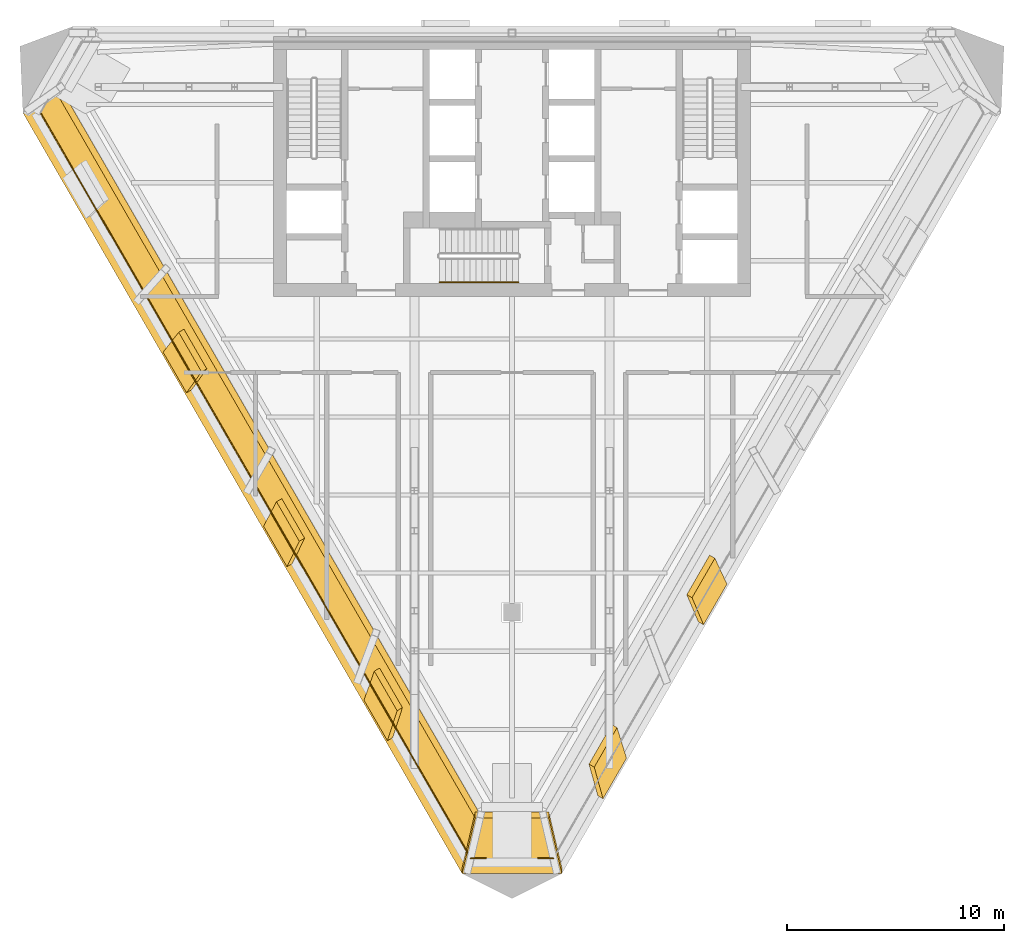
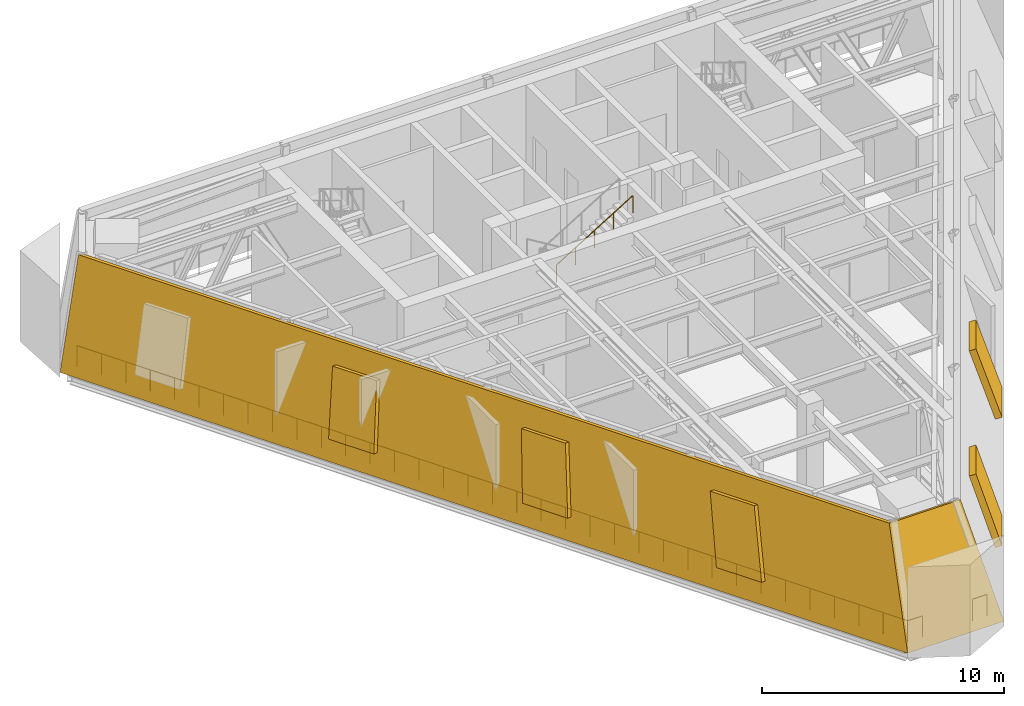
# One storey, part 6 of 11: 5 shading devices, 4 railings, 2 coverings.
"""IFC4 building model written with IfcOpenShell, lengths in metres."""

from ifc_helpers import new_model, si_unit, direction, frame, origin, origin_2d, place, context, subcontext, project, spatial, polyline, circle, outline, extrude, material, layer, layer_set, type_object, element, save


model = new_model("IFC4")

# Units and contexts
model_context = context("Model", 3, precision=1e-05, world=origin(), true_north=direction((0.0, 1.0)))
body_context = subcontext(model_context, "Body", "Model", "MODEL_VIEW")
ifc_project = project(units=[si_unit("LENGTHUNIT", "METRE"), si_unit("AREAUNIT", "SQUARE_METRE"), si_unit("VOLUMEUNIT", "CUBIC_METRE"), si_unit("PLANEANGLEUNIT", "RADIAN"), si_unit("MASSUNIT", "GRAM", prefix="KILO")], contexts=[model_context])

# Site, building, storey
site_placement = place(None, origin())
site = spatial("IfcSite", under=ifc_project, at=site_placement, CompositionType="ELEMENT")
building_placement = place(site_placement, origin())
building = spatial("IfcBuilding", under=site, at=building_placement, Name="Aloe Facet Convention Tower", CompositionType="ELEMENT")
storey_placement = place(building_placement, frame((0.0, 0.0, 175.39990234375)))
storey = spatial("IfcBuildingStorey", under=building, at=storey_placement, Name="L44", CompositionType="ELEMENT", Elevation=175.39990234375)

# Railing
ifc_material_1 = material(Name="Steel S355 handrail", Category="steel")
railing_type_1 = type_object("IfcRailingType", Name="CR-RL-HAND", PredefinedType="HANDRAIL", material=ifc_material_1)
railing_1_placement = place(storey_placement, frame((76.659912109375, 123.199951171875, 2.571533203125)))
element("IfcRailing", 1, at=railing_1_placement, inside=storey, type_object=railing_type_1, Name="L44 ST3 stair handrail 2", PredefinedType="HANDRAIL", context=body_context, shape_type="SweptSolid", body=[
    extrude(circle(Radius=0.02392578125, at=origin_2d()), frame((0.0, 0.0, 0.8759765625), z_axis=(0.852865859571, 0.0, 0.52213008492), x_axis=(0.0, 1.0, 0.0)), (0.0, 0.0, 1.0), 4.26806640625),
    extrude(circle(Radius=0.02099609375, at=origin_2d()), origin(), (0.0, 0.0, 1.0), 0.851806640625),
    extrude(circle(Radius=0.02099609375, at=origin_2d()), frame((0.91015625, 0.0, 0.55712890625)), (0.0, 0.0, 1.0), 0.851806640625),
    extrude(circle(Radius=0.02099609375, at=origin_2d()), frame((1.820068359375, 0.0, 1.1142578125)), (0.0, 0.0, 1.0), 0.851806640625),
    extrude(circle(Radius=0.02099609375, at=origin_2d()), frame((2.72998046875, 0.0, 1.67138671875)), (0.0, 0.0, 1.0), 0.851806640625),
    extrude(circle(Radius=0.02099609375, at=origin_2d()), frame((3.64013671875, 0.0, 2.228515625)), (0.0, 0.0, 1.0), 0.851806640625),
])

# Coverings
ifc_material_2 = material(Name="Granite cladding, bronze anchors", Category="masonry")
ifc_layer_1 = layer(ifc_material_2, 0.300048828125)
ifc_layer_set_1 = layer_set([ifc_layer_1], Name="EV-CLAD-STONE")
covering_type = type_object("IfcCoveringType", Name="EV-CLAD-STONE", PredefinedType="CLADDING", material=ifc_layer_set_1)
covering_1_placement = place(storey_placement, frame((57.45703125, 131.016357421875, 0.0), z_axis=(-0.810893666148, -0.468169340988, 0.351096753559), x_axis=(0.499999440208, -0.86602572698, -8.96438e-07)))
element("IfcCovering", 2, at=covering_1_placement, inside=storey, type_object=covering_type, Name="CLADDING L44-W", PredefinedType="CLADDING", context=body_context, shape_type="SweptSolid", body=[
    extrude(outline(polyline([(0.0, 0.0), (40.48605281721745, 8.881784197001252e-16), (38.5685975375764, 5.126436529245664), (-0.16072424522544662, 5.126360689526034), (0.0, 0.0)])), origin(), (0.0, 0.0, -1.0), 0.300048828125),
])
covering_2_placement = place(storey_placement, frame((77.699951171875, 95.954345703125, 0.0), z_axis=(0.0, -0.882313186, 0.470662768668), x_axis=(1.0, 0.0, 0.0)))
element("IfcCovering", 3, at=covering_2_placement, inside=storey, type_object=covering_type, Name="CLADDING L44-B", PredefinedType="CLADDING", context=body_context, shape_type="SweptSolid", body=[
    extrude(outline(polyline([(0.0, 0.0), (4.60009765625, 0.0), (4.0, 5.440300455991052), (0.60009765625, 5.440300455991052), (0.0, 0.0)])), origin(), (0.0, 0.0, -1.0), 0.300048828125),
])

# Railings
ifc_material_3 = material(Name="Steel S355", Category="steel")
railing_type_2 = type_object("IfcRailingType", Name="EV-GUARD-PORTAL", PredefinedType="GUARDRAIL", material=ifc_material_3)
for number, where, name in (
    (4, (81.895751953125, 96.654296875, 0.0), "GUARD L44-4"),
    (5, (78.800048828125, 96.654296875, 0.0), "GUARD L44-5"),
):
    element("IfcRailing", number, at=place(storey_placement, frame(where)), inside=storey, type_object=railing_type_2, Name=name, PredefinedType="GUARDRAIL", context=body_context, shape_type="SweptSolid", body=[
        extrude(circle(Radius=0.02392578125, at=origin_2d()), frame((0.0, 0.0, 1.076171875), z_axis=(-1.0, 0.0, 0.0), x_axis=(0.0, -1.0, 0.0)), (0.0, 0.0, 1.0), 0.69580078125),
        extrude(circle(Radius=0.02099609375, at=origin_2d()), origin(), (0.0, 0.0, 1.0), 1.052001953125),
        extrude(circle(Radius=0.02099609375, at=origin_2d()), frame((-0.69580078125, 0.0, 0.0)), (0.0, 0.0, 1.0), 1.052001953125),
    ])
railing_2_placement = place(storey_placement, frame((78.104248046875, 96.654296875, 0.0)))
element("IfcRailing", 6, at=railing_2_placement, inside=storey, type_object=railing_type_2, Name="GUARD L44-6", PredefinedType="GUARDRAIL", context=body_context, shape_type="SweptSolid", body=[
    extrude(circle(Radius=0.02392578125, at=origin_2d()), frame((0.0, 0.0, 1.076171875), z_axis=(-0.500003145725, 0.866023587592, 0.0), x_axis=(-0.866023587592, -0.500003145725, 0.0)), (0.0, 0.0, 1.0), 39.677978515625),
    extrude(circle(Radius=0.02099609375, at=origin_2d()), origin(), (0.0, 0.0, 1.0), 1.052001953125),
    extrude(circle(Radius=0.02099609375, at=origin_2d()), frame((-0.58349609375, 1.0107421875, 0.0)), (0.0, 0.0, 1.0), 1.052001953125),
    extrude(circle(Radius=0.02099609375, at=origin_2d()), frame((-1.1669921875, 2.021240234375, 0.0)), (0.0, 0.0, 1.0), 1.052001953125),
    extrude(circle(Radius=0.02099609375, at=origin_2d()), frame((-1.75048828125, 3.031982421875, 0.0)), (0.0, 0.0, 1.0), 1.052001953125),
    extrude(circle(Radius=0.02099609375, at=origin_2d()), frame((-2.333984375, 4.04248046875, 0.0)), (0.0, 0.0, 1.0), 1.052001953125),
    extrude(circle(Radius=0.02099609375, at=origin_2d()), frame((-2.91748046875, 5.05322265625, 0.0)), (0.0, 0.0, 1.0), 1.052001953125),
    extrude(circle(Radius=0.02099609375, at=origin_2d()), frame((-3.5009765625, 6.06396484375, 0.0)), (0.0, 0.0, 1.0), 1.052001953125),
    extrude(circle(Radius=0.02099609375, at=origin_2d()), frame((-4.08447265625, 7.074462890625, 0.0)), (0.0, 0.0, 1.0), 1.052001953125),
    extrude(circle(Radius=0.02099609375, at=origin_2d()), frame((-4.66796875, 8.085205078125, 0.0)), (0.0, 0.0, 1.0), 1.052001953125),
    extrude(circle(Radius=0.02099609375, at=origin_2d()), frame((-5.25146484375, 9.095947265625, 0.0)), (0.0, 0.0, 1.0), 1.052001953125),
    extrude(circle(Radius=0.02099609375, at=origin_2d()), frame((-5.8349609375, 10.1064453125, 0.0)), (0.0, 0.0, 1.0), 1.052001953125),
    extrude(circle(Radius=0.02099609375, at=origin_2d()), frame((-6.41845703125, 11.1171875, 0.0)), (0.0, 0.0, 1.0), 1.052001953125),
    extrude(circle(Radius=0.02099609375, at=origin_2d()), frame((-7.001953125, 12.127685546875, 0.0)), (0.0, 0.0, 1.0), 1.052001953125),
    extrude(circle(Radius=0.02099609375, at=origin_2d()), frame((-7.58544921875, 13.138427734375, 0.0)), (0.0, 0.0, 1.0), 1.052001953125),
    extrude(circle(Radius=0.02099609375, at=origin_2d()), frame((-8.1689453125, 14.149169921875, 0.0)), (0.0, 0.0, 1.0), 1.052001953125),
    extrude(circle(Radius=0.02099609375, at=origin_2d()), frame((-8.75244140625, 15.15966796875, 0.0)), (0.0, 0.0, 1.0), 1.052001953125),
    extrude(circle(Radius=0.02099609375, at=origin_2d()), frame((-9.3359375, 16.17041015625, 0.0)), (0.0, 0.0, 1.0), 1.052001953125),
    extrude(circle(Radius=0.02099609375, at=origin_2d()), frame((-9.91943359375, 17.18115234375, 0.0)), (0.0, 0.0, 1.0), 1.052001953125),
    extrude(circle(Radius=0.02099609375, at=origin_2d()), frame((-10.503173828125, 18.191650390625, 0.0)), (0.0, 0.0, 1.0), 1.052001953125),
    extrude(circle(Radius=0.02099609375, at=origin_2d()), frame((-11.086669921875, 19.202392578125, 0.0)), (0.0, 0.0, 1.0), 1.052001953125),
    extrude(circle(Radius=0.02099609375, at=origin_2d()), frame((-11.670166015625, 20.212890625, 0.0)), (0.0, 0.0, 1.0), 1.052001953125),
    extrude(circle(Radius=0.02099609375, at=origin_2d()), frame((-12.253662109375, 21.2236328125, 0.0)), (0.0, 0.0, 1.0), 1.052001953125),
    extrude(circle(Radius=0.02099609375, at=origin_2d()), frame((-12.837158203125, 22.234375, 0.0)), (0.0, 0.0, 1.0), 1.052001953125),
    extrude(circle(Radius=0.02099609375, at=origin_2d()), frame((-13.420654296875, 23.244873046875, 0.0)), (0.0, 0.0, 1.0), 1.052001953125),
    extrude(circle(Radius=0.02099609375, at=origin_2d()), frame((-14.004150390625, 24.255615234375, 0.0)), (0.0, 0.0, 1.0), 1.052001953125),
    extrude(circle(Radius=0.02099609375, at=origin_2d()), frame((-14.587646484375, 25.26611328125, 0.0)), (0.0, 0.0, 1.0), 1.052001953125),
    extrude(circle(Radius=0.02099609375, at=origin_2d()), frame((-15.171142578125, 26.27685546875, 0.0)), (0.0, 0.0, 1.0), 1.052001953125),
    extrude(circle(Radius=0.02099609375, at=origin_2d()), frame((-15.754638671875, 27.28759765625, 0.0)), (0.0, 0.0, 1.0), 1.052001953125),
    extrude(circle(Radius=0.02099609375, at=origin_2d()), frame((-16.338134765625, 28.298095703125, 0.0)), (0.0, 0.0, 1.0), 1.052001953125),
    extrude(circle(Radius=0.02099609375, at=origin_2d()), frame((-16.921630859375, 29.308837890625, 0.0)), (0.0, 0.0, 1.0), 1.052001953125),
    extrude(circle(Radius=0.02099609375, at=origin_2d()), frame((-17.505126953125, 30.319580078125, 0.0)), (0.0, 0.0, 1.0), 1.052001953125),
    extrude(circle(Radius=0.02099609375, at=origin_2d()), frame((-18.088623046875, 31.330078125, 0.0)), (0.0, 0.0, 1.0), 1.052001953125),
    extrude(circle(Radius=0.02099609375, at=origin_2d()), frame((-18.672119140625, 32.3408203125, 0.0)), (0.0, 0.0, 1.0), 1.052001953125),
    extrude(circle(Radius=0.02099609375, at=origin_2d()), frame((-19.255615234375, 33.351318359375, 0.0)), (0.0, 0.0, 1.0), 1.052001953125),
    extrude(circle(Radius=0.02099609375, at=origin_2d()), frame((-19.839111328125, 34.362060546875, 0.0)), (0.0, 0.0, 1.0), 1.052001953125),
])

# Shading devices
ifc_material_4 = material(Name="Aluminium, anodised", Category="aluminium")
ifc_layer_2 = layer(ifc_material_4, 0.300048828125)
ifc_layer_set_2 = layer_set([ifc_layer_2], Name="EV-LOUVRE-BELT")
shading_device_type = type_object("IfcShadingDeviceType", Name="EV-LOUVRE-BELT", PredefinedType="JALOUSIE", material=ifc_layer_set_2)
shading_device_1_placement = place(storey_placement, frame((63.91552734375, 119.988037109375, 1.0654296875), z_axis=(-0.81087924888, -0.468198355467, 0.351091360863), x_axis=(0.50002632815, -0.866010202626, -1.0194774e-05)))
element("IfcShadingDevice", 7, at=shading_device_1_placement, inside=storey, type_object=shading_device_type, Name="LOUVRE L44-W05", PredefinedType="JALOUSIE", context=body_context, shape_type="SweptSolid", body=[
    extrude(outline(polyline([(0.0, 0.0), (2.1611207865540374, 0.0), (1.6713941991740042, 3.0759556138202853), (-0.4328571745392329, 3.075909172946646), (0.0, 0.0)])), origin(), (0.0, 0.0, -1.0), 0.300048828125),
])
shading_device_2_placement = place(storey_placement, frame((68.54638671875, 111.967041015625, 1.0654296875), z_axis=(-0.810873521745, -0.468195048643, 0.351108997549), x_axis=(0.500026327817, -0.866010202818, -1.0195214e-05)))
element("IfcShadingDevice", 8, at=shading_device_2_placement, inside=storey, type_object=shading_device_type, Name="LOUVRE L44-W08", PredefinedType="JALOUSIE", context=body_context, shape_type="SweptSolid", body=[
    extrude(outline(polyline([(0.0, 0.0), (2.1611207865540503, 1.6653345369377348e-16), (1.4281373819923002, 3.075974691152275), (-0.6761139917208984, 3.07592824794573), (0.0, 0.0)])), origin(), (0.0, 0.0, -1.0), 0.300048828125),
])
shading_device_3_placement = place(storey_placement, frame((73.17724609375, 103.94580078125, 1.0654296875), z_axis=(-0.810867794403, -0.468191741699, 0.35112663386), x_axis=(0.500032358997, -0.866006720462, 8.376732e-06)))
element("IfcShadingDevice", 9, at=shading_device_3_placement, inside=storey, type_object=shading_device_type, Name="LOUVRE L44-W11", PredefinedType="JALOUSIE", context=body_context, shape_type="SweptSolid", body=[
    extrude(outline(polyline([(0.0, 0.0), (2.1609093587069386, 0.0), (1.184941577966306, 3.0759702661929604), (-0.9195212236761562, 3.0760084257696683), (0.0, 0.0)])), origin(), (0.0, 0.0, -1.0), 0.300048828125),
])
shading_device_4_placement = place(storey_placement, frame((84.198486328125, 99.400634765625, 1.0654296875), z_axis=(0.810862118594, -0.46818846451, 0.351144110487), x_axis=(0.500026327155, 0.866010203201, 1.019609e-05)))
element("IfcShadingDevice", 10, at=shading_device_4_placement, inside=storey, type_object=shading_device_type, Name="LOUVRE L44-E02", PredefinedType="JALOUSIE", context=body_context, shape_type="SweptSolid", body=[
    extrude(outline(polyline([(0.0, 0.0), (2.1611207865540756, 0.0), (3.1616476783809286, 3.0759679693583886), (1.057396304667806, 3.0760144172095236), (0.0, 0.0)])), origin(), (0.0, 0.0, -1.0), 0.300048828125),
])
shading_device_5_placement = place(storey_placement, frame((88.829345703125, 107.421630859375, 1.0654296875), z_axis=(0.810867846141, -0.468191771572, 0.351126474546), x_axis=(0.500026327488, 0.866010203009, 1.019565e-05)))
element("IfcShadingDevice", 11, at=shading_device_5_placement, inside=storey, type_object=shading_device_type, Name="LOUVRE L44-E05", PredefinedType="JALOUSIE", context=body_context, shape_type="SweptSolid", body=[
    extrude(outline(polyline([(0.0, 0.0), (2.161120786554063, 0.0), (2.9183908611992555, 3.0759488926288414), (0.814139487486095, 3.075995338147169), (0.0, 0.0)])), origin(), (0.0, 0.0, -1.0), 0.300048828125),
])

save(model, "model.ifc")
